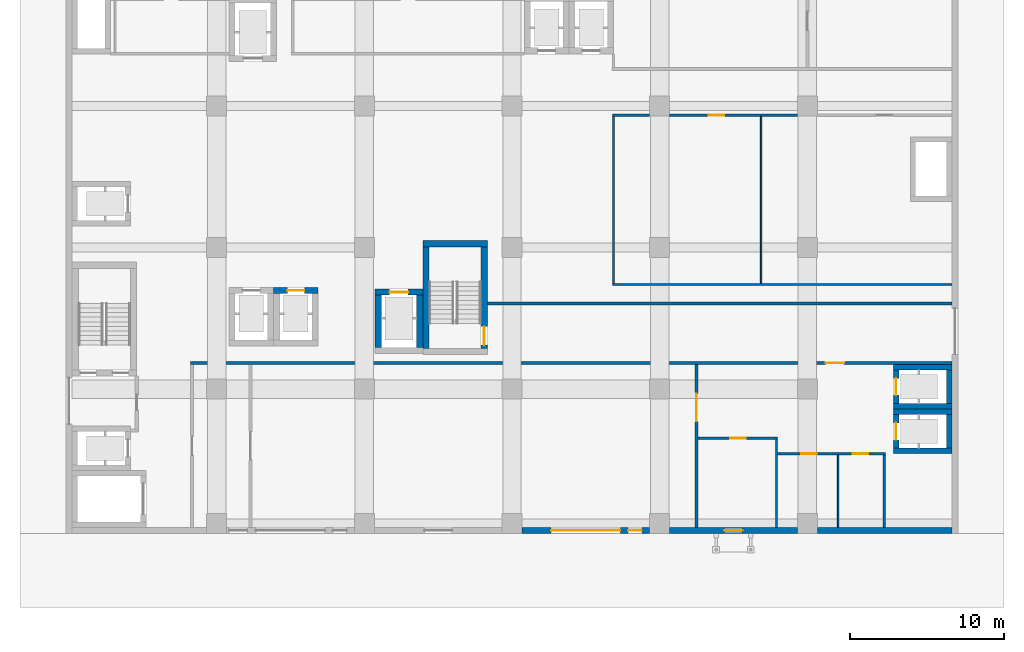
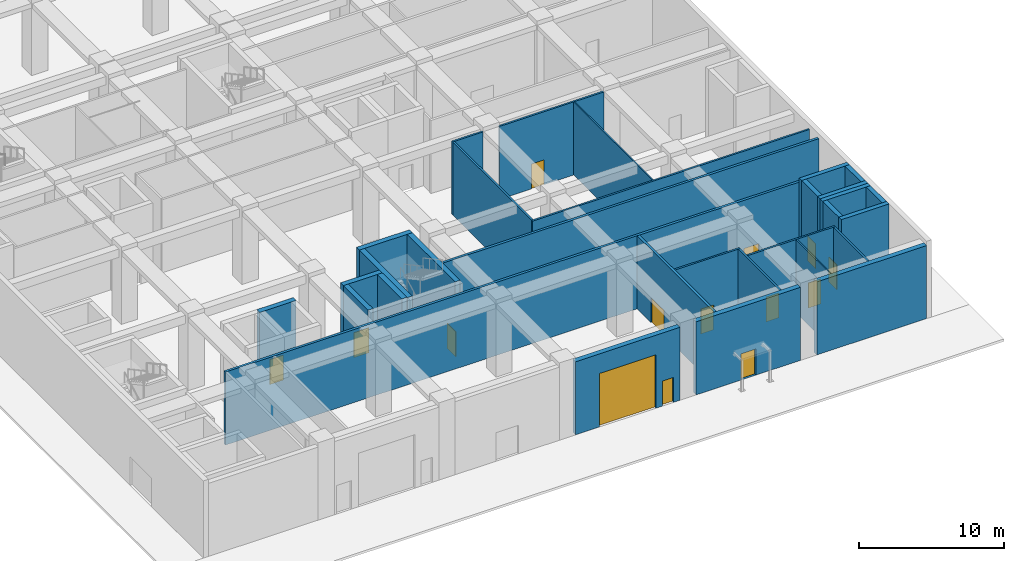
# One storey, part 17 of 45: 31 walls, 14 doors, 14 openings.
"""IFC4 building model written with IfcOpenShell, lengths in metres."""

from ifc_helpers import new_model, si_unit, direction, frame, frame_2d, origin, place, context, subcontext, project, spatial, rectangle, extrude, material, layer, layer_set, layer_usage, type_object, element, fill, save


model = new_model("IFC4")

# Units and contexts
model_context = context("Model", 3, precision=1e-05, world=origin(), true_north=direction((0.0, 1.0)))
body_context = subcontext(model_context, "Body", "Model", "MODEL_VIEW")
ifc_project = project(units=[si_unit("LENGTHUNIT", "METRE"), si_unit("AREAUNIT", "SQUARE_METRE"), si_unit("VOLUMEUNIT", "CUBIC_METRE"), si_unit("PLANEANGLEUNIT", "RADIAN"), si_unit("MASSUNIT", "GRAM", prefix="KILO")], contexts=[model_context])

# Site, building, storey
site_placement = place(None, origin())
site = spatial("IfcSite", under=ifc_project, at=site_placement, CompositionType="ELEMENT")
building_placement = place(site_placement, origin())
building = spatial("IfcBuilding", under=site, at=building_placement, Name="Nzadi Deep Aquarium and Research Tower", CompositionType="ELEMENT")
storey_placement = place(building_placement, origin())
storey = spatial("IfcBuildingStorey", under=building, at=storey_placement, Name="G", CompositionType="ELEMENT", Elevation=0.0)

# Walls
ifc_material_1 = material(Name="Blockwork masonry", Category="masonry")
ifc_layer_1 = layer(ifc_material_1, 0.10009765625)
ifc_layer_set_1 = layer_set([ifc_layer_1], Name="Blockwork masonry")
wall_type_1 = type_object("IfcWallType", Name="Partition 100 EI 30", PredefinedType="PARTITIONING", material=ifc_layer_set_1)
wall_1_placement = place(storey_placement, frame((45.0, 16.074951171875, 0.0), z_axis=(0.0, 0.0, 1.0), x_axis=(0.0, 1.0, 0.0)))
element("IfcWall", 1, at=wall_1_placement, inside=storey, type_object=wall_type_1, Name="W-Z1-G-P036", PredefinedType="PARTITIONING", context=body_context, shape_type="SweptSolid", body=[
    extrude(rectangle(XDim=10.85009765625, YDim=0.10009765625, at=frame_2d((5.425048828125, 0.0))), origin(), (0.0, 0.0, 1.0), 6.14990234375),
])
wall_2_placement = place(storey_placement, frame((50.0, 0.2060546875, 0.0), z_axis=(0.0, 0.0, 1.0), x_axis=(0.0, 1.0, 0.0)))
element("IfcWall", 2, at=wall_2_placement, inside=storey, type_object=wall_type_1, Name="W-Z1-G-P042", PredefinedType="PARTITIONING", context=body_context, shape_type="SweptSolid", body=[
    extrude(rectangle(XDim=4.718994140625, YDim=0.10009765625, at=frame_2d((2.359375, 0.0))), origin(), (0.0, 0.0, 1.0), 6.14990234375),
])
ifc_material_2 = material(Name="Blockwork masonry", Category="masonry")
ifc_layer_2 = layer(ifc_material_2, 0.14990234375)
ifc_layer_set_2 = layer_set([ifc_layer_2], Name="Blockwork masonry")
wall_type_2 = type_object("IfcWallType", Name="Partition 150 EI 60", PredefinedType="PARTITIONING", material=ifc_layer_set_2)
wall_3_placement = place(storey_placement, frame((35.324951171875, 16.0, 0.0), z_axis=(0.0, 0.0, 1.0), x_axis=(1.0, 0.0, 0.0)))
element("IfcWall", 3, at=wall_3_placement, inside=storey, type_object=wall_type_2, Name="W-Z1-G-P025", PredefinedType="PARTITIONING", context=body_context, shape_type="SweptSolid", body=[
    extrude(rectangle(XDim=22.069091796875, YDim=0.14990234375, at=frame_2d((11.03466796875, 0.0))), origin(), (0.0, 0.0, 1.0), 6.14990234375),
])
wall_4_placement = place(storey_placement, frame((35.39990234375, 16.074951171875, 0.0), z_axis=(0.0, 0.0, 1.0), x_axis=(0.0, 1.0, 0.0)))
element("IfcWall", 4, at=wall_4_placement, inside=storey, type_object=wall_type_2, Name="W-Z1-G-P026", PredefinedType="PARTITIONING", context=body_context, shape_type="SweptSolid", body=[
    extrude(rectangle(XDim=10.85009765625, YDim=0.14990234375, at=frame_2d((5.425048828125, 0.0))), origin(), (0.0, 0.0, 1.0), 6.14990234375),
])
wall_5_placement = place(storey_placement, frame((35.324951171875, 27.0, 0.0), z_axis=(0.0, 0.0, 1.0), x_axis=(1.0, 0.0, 0.0)))
element("IfcWall", 5, at=wall_5_placement, inside=storey, type_object=wall_type_2, Name="W-Z1-G-P027", PredefinedType="PARTITIONING", context=body_context, shape_type="SweptSolid", body=[
    extrude(rectangle(XDim=2.425048828125, YDim=0.14990234375, at=frame_2d((1.21240234375, 0.0))), origin(), (0.0, 0.0, 1.0), 6.14990234375),
])

# Wall, opening, door
wall_6_placement = place(storey_placement, frame((39.050048828125, 27.0, 0.0), z_axis=(0.0, 0.0, 1.0), x_axis=(1.0, 0.0, 0.0)))
wall_6 = element("IfcWall", 6, at=wall_6_placement, inside=storey, type_object=wall_type_2, Name="W-Z1-G-P031", PredefinedType="PARTITIONING", context=body_context, shape_type="SweptSolid", body=[
    extrude(rectangle(XDim=8.300048828125, YDim=0.14990234375, at=frame_2d((4.14990234375, 0.0))), origin(), (0.0, 0.0, 1.0), 6.14990234375),
])
opening_1_placement = place(wall_6_placement, frame((2.547119140625, 0.0, 0.0)))
opening_1 = element("IfcOpeningElement", 7, at=opening_1_placement, cuts=wall_6, Name="Opening D011012", PredefinedType="OPENING", context=body_context, shape_type="SweptSolid", body=[
    extrude(rectangle(XDim=1.0, YDim=2.10009765625, at=frame_2d((0.5, 1.050048828125))), frame((0.0, 0.0849609375, 0.0), z_axis=(0.0, -1.0, 0.0), x_axis=(1.0, 0.0, 0.0)), (0.0, 0.0, 1.0), 0.169921875),
])
ifc_material_3 = material(Name="Fire-rated steel door", Category="steel")
ifc_layer_3 = layer(ifc_material_3, 0.050048828125)
ifc_layer_set_3 = layer_set([ifc_layer_3], Name="Fire-rated steel door")
door_type_1 = type_object("IfcDoorType", Name="Door 1000x2100 EI 60 single", OperationType="SINGLE_SWING_LEFT", PredefinedType="DOOR", material=ifc_layer_set_3)
door_1_placement = place(opening_1_placement, origin())
door_1 = element("IfcDoor", 8, at=door_1_placement, inside=storey, type_object=door_type_1, Name="D011012", OperationType="SINGLE_SWING_LEFT", OverallHeight=2.10009765625, OverallWidth=1.0, PredefinedType="DOOR", context=body_context, shape_type="SweptSolid", body=[
    extrude(rectangle(XDim=1.0, YDim=2.10009765625, at=frame_2d((0.5, 1.050048828125))), frame((0.0, 0.02490234375, 0.0), z_axis=(0.0, -1.0, 0.0), x_axis=(1.0, 0.0, 0.0)), (0.0, 0.0, 1.0), 0.050048828125),
])
fill(opening_1, door_1)

wall_7_placement = place(storey_placement, frame((40.89990234375, 6.0, 0.0), z_axis=(0.0, 0.0, 1.0), x_axis=(1.0, 0.0, 0.0)))
wall_7 = element("IfcWall", 9, at=wall_7_placement, inside=storey, type_object=wall_type_2, Name="W-Z1-G-P035", PredefinedType="PARTITIONING", context=body_context, shape_type="SweptSolid", body=[
    extrude(rectangle(XDim=5.175048828125, YDim=0.14990234375, at=frame_2d((2.58740234375, 0.0))), origin(), (0.0, 0.0, 1.0), 6.14990234375),
])
opening_2_placement = place(wall_7_placement, frame((2.0869140625, 0.0, 0.0)))
opening_2 = element("IfcOpeningElement", 10, at=opening_2_placement, cuts=wall_7, Name="Opening D011003", PredefinedType="OPENING", context=body_context, shape_type="SweptSolid", body=[
    extrude(rectangle(XDim=1.0, YDim=2.10009765625, at=frame_2d((0.5, 1.050048828125))), frame((0.0, 0.0849609375, 0.0), z_axis=(0.0, -1.0, 0.0), x_axis=(1.0, 0.0, 0.0)), (0.0, 0.0, 1.0), 0.169921875),
])
door_2_placement = place(opening_2_placement, origin())
door_2 = element("IfcDoor", 11, at=door_2_placement, inside=storey, type_object=door_type_1, Name="D011003", OperationType="SINGLE_SWING_RIGHT", OverallHeight=2.10009765625, OverallWidth=1.0, PredefinedType="DOOR", context=body_context, shape_type="SweptSolid", body=[
    extrude(rectangle(XDim=1.0, YDim=2.10009765625, at=frame_2d((0.5, 1.050048828125))), frame((0.0, 0.02490234375, 0.0), z_axis=(0.0, -1.0, 0.0), x_axis=(1.0, 0.0, 0.0)), (0.0, 0.0, 1.0), 0.050048828125),
])
fill(opening_2, door_2)

# Wall
wall_8_placement = place(storey_placement, frame((46.0, 0.2060546875, 0.0), z_axis=(0.0, 0.0, 1.0), x_axis=(0.0, 1.0, 0.0)))
element("IfcWall", 12, at=wall_8_placement, inside=storey, type_object=wall_type_2, Name="W-Z1-G-P037", PredefinedType="PARTITIONING", context=body_context, shape_type="SweptSolid", body=[
    extrude(rectangle(XDim=5.718994140625, YDim=0.14990234375, at=frame_2d((2.859375, 0.0))), origin(), (0.0, 0.0, 1.0), 6.14990234375),
])

# Wall, openings, doors
wall_9_placement = place(storey_placement, frame((46.074951171875, 5.0, 0.0), z_axis=(0.0, 0.0, 1.0), x_axis=(1.0, 0.0, 0.0)))
wall_9 = element("IfcWall", 13, at=wall_9_placement, inside=storey, type_object=wall_type_2, Name="W-Z1-G-P038", PredefinedType="PARTITIONING", context=body_context, shape_type="SweptSolid", body=[
    extrude(rectangle(XDim=7.0, YDim=0.14990234375, at=frame_2d((3.5, 0.0))), origin(), (0.0, 0.0, 1.0), 6.14990234375),
])
opening_3_placement = place(wall_9_placement, frame((1.534912109375, 0.0, 0.0)))
opening_3 = element("IfcOpeningElement", 14, at=opening_3_placement, cuts=wall_9, Name="Opening D011005", PredefinedType="OPENING", context=body_context, shape_type="SweptSolid", body=[
    extrude(rectangle(XDim=1.0, YDim=2.10009765625, at=frame_2d((0.5, 1.050048828125))), frame((0.0, 0.0849609375, 0.0), z_axis=(0.0, -1.0, 0.0), x_axis=(1.0, 0.0, 0.0)), (0.0, 0.0, 1.0), 0.169921875),
])
opening_4_placement = place(wall_9_placement, frame((4.889892578125, 0.0, 0.0)))
opening_4 = element("IfcOpeningElement", 15, at=opening_4_placement, cuts=wall_9, Name="Opening D011006", PredefinedType="OPENING", context=body_context, shape_type="SweptSolid", body=[
    extrude(rectangle(XDim=1.0, YDim=2.10009765625, at=frame_2d((0.5, 1.050048828125))), frame((0.0, 0.0849609375, 0.0), z_axis=(0.0, -1.0, 0.0), x_axis=(1.0, 0.0, 0.0)), (0.0, 0.0, 1.0), 0.169921875),
])
door_3_placement = place(opening_3_placement, origin())
door_3 = element("IfcDoor", 16, at=door_3_placement, inside=storey, type_object=door_type_1, Name="D011005", OperationType="SINGLE_SWING_RIGHT", OverallHeight=2.10009765625, OverallWidth=1.0, PredefinedType="DOOR", context=body_context, shape_type="SweptSolid", body=[
    extrude(rectangle(XDim=1.0, YDim=2.10009765625, at=frame_2d((0.5, 1.050048828125))), frame((0.0, 0.02490234375, 0.0), z_axis=(0.0, -1.0, 0.0), x_axis=(1.0, 0.0, 0.0)), (0.0, 0.0, 1.0), 0.050048828125),
])
fill(opening_3, door_3)
door_4_placement = place(opening_4_placement, origin())
door_4 = element("IfcDoor", 17, at=door_4_placement, inside=storey, type_object=door_type_1, Name="D011006", OperationType="SINGLE_SWING_LEFT", OverallHeight=2.10009765625, OverallWidth=1.0, PredefinedType="DOOR", context=body_context, shape_type="SweptSolid", body=[
    extrude(rectangle(XDim=1.0, YDim=2.10009765625, at=frame_2d((0.5, 1.050048828125))), frame((0.0, 0.02490234375, 0.0), z_axis=(0.0, -1.0, 0.0), x_axis=(1.0, 0.0, 0.0)), (0.0, 0.0, 1.0), 0.050048828125),
])
fill(opening_4, door_4)

# Wall
wall_10_placement = place(storey_placement, frame((53.0, 0.2060546875, 0.0), z_axis=(0.0, 0.0, 1.0), x_axis=(0.0, 1.0, 0.0)))
element("IfcWall", 18, at=wall_10_placement, inside=storey, type_object=wall_type_2, Name="W-Z1-G-P043", PredefinedType="PARTITIONING", context=body_context, shape_type="SweptSolid", body=[
    extrude(rectangle(XDim=4.718994140625, YDim=0.14990234375, at=frame_2d((2.359375, 0.0))), origin(), (0.0, 0.0, 1.0), 6.14990234375),
])

# Wall, opening, door
ifc_material_4 = material(Name="Blockwork masonry", Category="masonry")
ifc_layer_4 = layer(ifc_material_4, 0.199951171875)
ifc_layer_set_4 = layer_set([ifc_layer_4], Name="Blockwork masonry")
wall_type_3 = type_object("IfcWallType", Name="Partition 200 EI 120", PredefinedType="PARTITIONING", material=ifc_layer_set_4)
wall_11_placement = place(storey_placement, frame((7.89990234375, 10.89990234375, 0.0), z_axis=(0.0, 0.0, 1.0), x_axis=(1.0, 0.0, 0.0)))
wall_11 = element("IfcWall", 19, at=wall_11_placement, inside=storey, type_object=wall_type_3, Name="W-Z1-G-P009", PredefinedType="PARTITIONING", context=body_context, shape_type="SweptSolid", body=[
    extrude(rectangle(XDim=49.494140625, YDim=0.199951171875, at=frame_2d((24.7470703125, 0.0))), origin(), (0.0, 0.0, 1.0), 6.14990234375),
])
opening_5_placement = place(wall_11_placement, frame((41.300048828125, 0.0, 0.0)))
opening_5 = element("IfcOpeningElement", 20, at=opening_5_placement, cuts=wall_11, Name="Opening D011021", PredefinedType="OPENING", context=body_context, shape_type="SweptSolid", body=[
    extrude(rectangle(XDim=1.199951171875, YDim=2.10009765625, at=frame_2d((0.60009765625, 1.050048828125))), frame((0.0, 0.110107421875, 0.0), z_axis=(0.0, -1.0, 0.0), x_axis=(1.0, 0.0, 0.0)), (0.0, 0.0, 1.0), 0.22021484375),
])
ifc_material_5 = material(Name="Fire-rated steel door", Category="steel")
ifc_layer_5 = layer(ifc_material_5, 0.050048828125)
ifc_layer_set_5 = layer_set([ifc_layer_5], Name="Fire-rated steel door")
door_type_2 = type_object("IfcDoorType", Name="Door 1200x2100 EI 120 single", OperationType="SINGLE_SWING_LEFT", PredefinedType="DOOR", material=ifc_layer_set_5)
door_5_placement = place(opening_5_placement, origin())
door_5 = element("IfcDoor", 21, at=door_5_placement, inside=storey, type_object=door_type_2, Name="D011021", OperationType="SINGLE_SWING_LEFT", OverallHeight=2.10009765625, OverallWidth=1.199951171875, PredefinedType="DOOR", context=body_context, shape_type="SweptSolid", body=[
    extrude(rectangle(XDim=1.199951171875, YDim=2.10009765625, at=frame_2d((0.60009765625, 1.050048828125))), frame((0.0, 0.02490234375, 0.0), z_axis=(0.0, -1.0, 0.0), x_axis=(1.0, 0.0, 0.0)), (0.0, 0.0, 1.0), 0.050048828125),
])
fill(opening_5, door_5)

# Wall
wall_12_placement = place(storey_placement, frame((27.2060546875, 14.75, 0.0), z_axis=(0.0, 0.0, 1.0), x_axis=(1.0, 0.0, 0.0)))
element("IfcWall", 22, at=wall_12_placement, inside=storey, type_object=wall_type_3, Name="W-Z1-G-P020", PredefinedType="PARTITIONING", context=body_context, shape_type="SweptSolid", body=[
    extrude(rectangle(XDim=30.18798828125, YDim=0.199951171875, at=frame_2d((15.093994140625, 0.0))), origin(), (0.0, 0.0, 1.0), 6.14990234375),
])

# Wall, opening, door
wall_13_placement = place(storey_placement, frame((40.800048828125, 0.2060546875, 0.0), z_axis=(0.0, 0.0, 1.0), x_axis=(0.0, 1.0, 0.0)))
wall_13 = element("IfcWall", 23, at=wall_13_placement, inside=storey, type_object=wall_type_3, Name="W-Z1-G-P034", PredefinedType="PARTITIONING", context=body_context, shape_type="SweptSolid", body=[
    extrude(rectangle(XDim=10.593994140625, YDim=0.199951171875, at=frame_2d((5.296875, 0.0))), origin(), (0.0, 0.0, 1.0), 6.14990234375),
])
opening_6_placement = place(wall_13_placement, frame((6.89404296875, 0.0, 0.0)))
opening_6 = element("IfcOpeningElement", 24, at=opening_6_placement, cuts=wall_13, Name="Opening D011004", PredefinedType="OPENING", context=body_context, shape_type="SweptSolid", body=[
    extrude(rectangle(XDim=1.800048828125, YDim=2.10009765625, at=frame_2d((0.89990234375, 1.050048828125))), frame((0.0, 0.110107421875, 0.0), z_axis=(0.0, -1.0, 0.0), x_axis=(1.0, 0.0, 0.0)), (0.0, 0.0, 1.0), 0.22021484375),
])
ifc_material_6 = material(Name="Fire-rated steel door", Category="steel")
ifc_layer_6 = layer(ifc_material_6, 0.050048828125)
ifc_layer_set_6 = layer_set([ifc_layer_6], Name="Fire-rated steel door")
door_type_3 = type_object("IfcDoorType", Name="Door 1800x2100 EI 120 double", OperationType="DOUBLE_DOOR_SINGLE_SWING", PredefinedType="DOOR", material=ifc_layer_set_6)
door_6_placement = place(opening_6_placement, origin())
door_6 = element("IfcDoor", 25, at=door_6_placement, inside=storey, type_object=door_type_3, Name="D011004", OperationType="DOUBLE_DOOR_SINGLE_SWING", OverallHeight=2.10009765625, OverallWidth=1.800048828125, PredefinedType="DOOR", context=body_context, shape_type="SweptSolid", body=[
    extrude(rectangle(XDim=1.800048828125, YDim=2.10009765625, at=frame_2d((0.89990234375, 1.050048828125))), frame((0.0, 0.02490234375, 0.0), z_axis=(0.0, -1.0, 0.0), x_axis=(1.0, 0.0, 0.0)), (0.0, 0.0, 1.0), 0.050048828125),
])
fill(opening_6, door_6)

# Walls
ifc_material_7 = material(Name="Concrete C35/45", Category="concrete")
ifc_layer_7 = layer(ifc_material_7, 0.35009765625)
ifc_layer_set_7 = layer_set([ifc_layer_7], Name="Concrete C35/45")
wall_type_4 = type_object("IfcWallType", Name="RC core wall 350, 5.50 to 6.50 m high", PredefinedType="SHEAR", material=ifc_layer_set_7)
for number, where, z_axis, x_axis, name in (
    (26, (53.60009765625, 5.175048828125, 0.0), (0.0, 0.0, 1.0), (1.0, 0.0, 0.0), "W-CORE-EL2-G-S"),
    (27, (53.60009765625, 7.72509765625, 0.0), (0.0, 0.0, 1.0), (1.0, 0.0, 0.0), "W-CORE-EL2-G-N"),
):
    element("IfcWall", number, at=place(storey_placement, frame(where, z_axis=z_axis, x_axis=x_axis)), inside=storey, type_object=wall_type_4, Name=name, PredefinedType="SHEAR", context=body_context, shape_type="SweptSolid", body=[
        extrude(rectangle(XDim=3.7998046875, YDim=0.35009765625, at=frame_2d((1.89990234375, 0.0))), origin(), (0.0, 0.0, 1.0), 6.5),
    ])

# Wall, opening, door
wall_14_placement = place(storey_placement, frame((53.77490234375, 5.35009765625, 0.0), z_axis=(0.0, 0.0, 1.0), x_axis=(0.0, 1.0, 0.0)))
wall_14 = element("IfcWall", 28, at=wall_14_placement, inside=storey, type_object=wall_type_4, Name="W-CORE-EL2-G-W", PredefinedType="SHEAR", context=body_context, shape_type="SweptSolid", body=[
    extrude(rectangle(XDim=2.199951171875, YDim=0.35009765625, at=frame_2d((1.10009765625, 0.0))), origin(), (0.0, 0.0, 1.0), 6.5),
])
opening_7_placement = place(wall_14_placement, frame((0.550048828125, 0.0, 0.0)))
opening_7 = element("IfcOpeningElement", 29, at=opening_7_placement, cuts=wall_14, Name="Opening LD-EL2-G", PredefinedType="OPENING", context=body_context, shape_type="SweptSolid", body=[
    extrude(rectangle(XDim=1.10009765625, YDim=2.10009765625, at=frame_2d((0.550048828125, 1.050048828125))), frame((0.0, 0.18505859375, 0.0), z_axis=(0.0, -1.0, 0.0), x_axis=(1.0, 0.0, 0.0)), (0.0, 0.0, 1.0), 0.3701171875),
])
ifc_material_8 = material(Name="Stainless steel 1.4301", Category="steel")
door_type_4 = type_object("IfcDoorType", Name="LANDING DOOR 1100x2100", OperationType="DOUBLE_DOOR_SLIDING", PredefinedType="DOOR", material=ifc_material_8)
door_7_placement = place(opening_7_placement, origin())
door_7 = element("IfcDoor", 30, at=door_7_placement, inside=storey, type_object=door_type_4, Name="Landing door EL2 G", OperationType="DOUBLE_DOOR_SLIDING", OverallHeight=2.10009765625, OverallWidth=1.10009765625, PredefinedType="DOOR", context=body_context, shape_type="SweptSolid", body=[
    extrude(rectangle(XDim=1.10009765625, YDim=2.10009765625, at=frame_2d((0.550048828125, 1.050048828125))), frame((0.0, 0.02490234375, 0.0), z_axis=(0.0, -1.0, 0.0), x_axis=(1.0, 0.0, 0.0)), (0.0, 0.0, 1.0), 0.050048828125),
])
fill(opening_7, door_7)

# Walls
wall_15_placement = place(storey_placement, frame((57.22509765625, 5.35009765625, 0.0), z_axis=(0.0, 0.0, 1.0), x_axis=(0.0, 1.0, 0.0)))
element("IfcWall", 31, at=wall_15_placement, inside=storey, type_object=wall_type_4, Name="W-CORE-EL2-G-E", PredefinedType="SHEAR", context=body_context, shape_type="SweptSolid", body=[
    extrude(rectangle(XDim=2.199951171875, YDim=0.35009765625, at=frame_2d((1.10009765625, 0.0))), origin(), (0.0, 0.0, 1.0), 6.5),
])
for number, where, z_axis, x_axis, name in (
    (32, (53.60009765625, 8.074951171875, 0.0), (0.0, 0.0, 1.0), (1.0, 0.0, 0.0), "W-CORE-PL2-G-S"),
    (33, (53.60009765625, 10.625, 0.0), (0.0, 0.0, 1.0), (1.0, 0.0, 0.0), "W-CORE-PL2-G-N"),
):
    element("IfcWall", number, at=place(storey_placement, frame(where, z_axis=z_axis, x_axis=x_axis)), inside=storey, type_object=wall_type_4, Name=name, PredefinedType="SHEAR", context=body_context, shape_type="SweptSolid", body=[
        extrude(rectangle(XDim=3.7998046875, YDim=0.35009765625, at=frame_2d((1.89990234375, 0.0))), origin(), (0.0, 0.0, 1.0), 6.5),
    ])

# Wall, opening, door
wall_16_placement = place(storey_placement, frame((53.77490234375, 8.25, 0.0), z_axis=(0.0, 0.0, 1.0), x_axis=(0.0, 1.0, 0.0)))
wall_16 = element("IfcWall", 34, at=wall_16_placement, inside=storey, type_object=wall_type_4, Name="W-CORE-PL2-G-W", PredefinedType="SHEAR", context=body_context, shape_type="SweptSolid", body=[
    extrude(rectangle(XDim=2.199951171875, YDim=0.35009765625, at=frame_2d((1.10009765625, 0.0))), origin(), (0.0, 0.0, 1.0), 6.5),
])
opening_8_placement = place(wall_16_placement, frame((0.550048828125, 0.0, 0.0)))
opening_8 = element("IfcOpeningElement", 35, at=opening_8_placement, cuts=wall_16, Name="Opening LD-PL2-G", PredefinedType="OPENING", context=body_context, shape_type="SweptSolid", body=[
    extrude(rectangle(XDim=1.10009765625, YDim=2.10009765625, at=frame_2d((0.550048828125, 1.050048828125))), frame((0.0, 0.18505859375, 0.0), z_axis=(0.0, -1.0, 0.0), x_axis=(1.0, 0.0, 0.0)), (0.0, 0.0, 1.0), 0.3701171875),
])
door_8_placement = place(opening_8_placement, origin())
door_8 = element("IfcDoor", 36, at=door_8_placement, inside=storey, type_object=door_type_4, Name="Landing door PL2 G", OperationType="DOUBLE_DOOR_SLIDING", OverallHeight=2.10009765625, OverallWidth=1.10009765625, PredefinedType="DOOR", context=body_context, shape_type="SweptSolid", body=[
    extrude(rectangle(XDim=1.10009765625, YDim=2.10009765625, at=frame_2d((0.550048828125, 1.050048828125))), frame((0.0, 0.02490234375, 0.0), z_axis=(0.0, -1.0, 0.0), x_axis=(1.0, 0.0, 0.0)), (0.0, 0.0, 1.0), 0.050048828125),
])
fill(opening_8, door_8)

# Walls
wall_17_placement = place(storey_placement, frame((57.22509765625, 8.25, 0.0), z_axis=(0.0, 0.0, 1.0), x_axis=(0.0, 1.0, 0.0)))
element("IfcWall", 37, at=wall_17_placement, inside=storey, type_object=wall_type_4, Name="W-CORE-PL2-G-E", PredefinedType="SHEAR", context=body_context, shape_type="SweptSolid", body=[
    extrude(rectangle(XDim=2.199951171875, YDim=0.35009765625, at=frame_2d((1.10009765625, 0.0))), origin(), (0.0, 0.0, 1.0), 6.5),
])
ifc_material_9 = material(Name="Concrete C35/45", Category="concrete")
ifc_layer_8 = layer(ifc_material_9, 0.39990234375)
ifc_layer_set_8 = layer_set([ifc_layer_8], Name="Concrete C35/45")
wall_type_5 = type_object("IfcWallType", Name="RC core wall 400, 5.50 to 6.50 m high", PredefinedType="SHEAR", material=ifc_layer_set_8)
wall_18_placement = place(storey_placement, frame((23.0, 18.64990234375, 0.0), z_axis=(0.0, 0.0, 1.0), x_axis=(1.0, 0.0, 0.0)))
element("IfcWall", 38, at=wall_18_placement, inside=storey, type_object=wall_type_5, Name="W-CORE-ST-Z1-SE-G-N", PredefinedType="SHEAR", context=body_context, shape_type="SweptSolid", body=[
    extrude(rectangle(XDim=4.199951171875, YDim=0.39990234375, at=frame_2d((2.10009765625, 0.0))), origin(), (0.0, 0.0, 1.0), 6.5),
])
wall_19_placement = place(storey_placement, frame((23.199951171875, 11.85009765625, 0.0), z_axis=(0.0, 0.0, 1.0), x_axis=(0.0, 1.0, 0.0)))
element("IfcWall", 39, at=wall_19_placement, inside=storey, type_object=wall_type_5, Name="W-CORE-ST-Z1-SE-G-W", PredefinedType="SHEAR", context=body_context, shape_type="SweptSolid", body=[
    extrude(rectangle(XDim=6.599853515625, YDim=0.39990234375, at=frame_2d((3.2998046875, 0.0))), origin(), (0.0, 0.0, 1.0), 6.5),
])

# Wall, opening, door
wall_20_placement = place(storey_placement, frame((27.0, 11.85009765625, 0.0), z_axis=(0.0, 0.0, 1.0), x_axis=(0.0, 1.0, 0.0)))
wall_20 = element("IfcWall", 40, at=wall_20_placement, inside=storey, type_object=wall_type_5, Name="W-CORE-ST-Z1-SE-G-E", PredefinedType="SHEAR", context=body_context, shape_type="SweptSolid", body=[
    extrude(rectangle(XDim=6.599853515625, YDim=0.39990234375, at=frame_2d((3.2998046875, 0.0))), origin(), (0.0, 0.0, 1.0), 6.5),
])
opening_9_placement = place(wall_20_placement, frame((0.2099609375, 0.0, 0.0)))
opening_9 = element("IfcOpeningElement", 41, at=opening_9_placement, cuts=wall_20, Name="Opening DS-Z1-SE-G", PredefinedType="OPENING", context=body_context, shape_type="SweptSolid", body=[
    extrude(rectangle(XDim=1.199951171875, YDim=2.10009765625, at=frame_2d((0.60009765625, 1.050048828125))), frame((0.0, 0.2099609375, 0.0), z_axis=(0.0, -1.0, 0.0), x_axis=(1.0, 0.0, 0.0)), (0.0, 0.0, 1.0), 0.419921875),
])
ifc_material_10 = material(Name="Steel, powder coated", Category="steel")
door_type_5 = type_object("IfcDoorType", Name="STAIR DOOR 1200x2100 EI 60", OperationType="SINGLE_SWING_LEFT", PredefinedType="DOOR", material=ifc_material_10)
door_9_placement = place(opening_9_placement, origin())
door_9 = element("IfcDoor", 42, at=door_9_placement, inside=storey, type_object=door_type_5, Name="Stair door ST-Z1-SE G", OperationType="SINGLE_SWING_LEFT", OverallHeight=2.10009765625, OverallWidth=1.199951171875, PredefinedType="DOOR", context=body_context, shape_type="SweptSolid", body=[
    extrude(rectangle(XDim=1.199951171875, YDim=2.10009765625, at=frame_2d((0.60009765625, 1.050048828125))), frame((0.0, 0.02490234375, 0.0), z_axis=(0.0, -1.0, 0.0), x_axis=(1.0, 0.0, 0.0)), (0.0, 0.0, 1.0), 0.050048828125),
])
fill(opening_9, door_9)

wall_21_placement = place(storey_placement, frame((13.300048828125, 15.60009765625, 0.0), z_axis=(0.0, 0.0, 1.0), x_axis=(1.0, 0.0, 0.0)))
wall_21 = element("IfcWall", 43, at=wall_21_placement, inside=storey, type_object=wall_type_5, Name="W-CORE-TL2-G-N", PredefinedType="SHEAR", context=body_context, shape_type="SweptSolid", body=[
    extrude(rectangle(XDim=2.89990234375, YDim=0.39990234375, at=frame_2d((1.449951171875, 0.0))), origin(), (0.0, 0.0, 1.0), 6.5),
])
opening_10_placement = place(wall_21_placement, frame((0.89990234375, 0.0, 0.0)))
opening_10 = element("IfcOpeningElement", 44, at=opening_10_placement, cuts=wall_21, Name="Opening LD-TL2-G", PredefinedType="OPENING", context=body_context, shape_type="SweptSolid", body=[
    extrude(rectangle(XDim=1.10009765625, YDim=2.10009765625, at=frame_2d((0.550048828125, 1.050048828125))), frame((0.0, 0.2099609375, 0.0), z_axis=(0.0, -1.0, 0.0), x_axis=(1.0, 0.0, 0.0)), (0.0, 0.0, 1.0), 0.419921875),
])
door_10_placement = place(opening_10_placement, origin())
door_10 = element("IfcDoor", 45, at=door_10_placement, inside=storey, type_object=door_type_4, Name="Landing door TL2 G", OperationType="DOUBLE_DOOR_SLIDING", OverallHeight=2.10009765625, OverallWidth=1.10009765625, PredefinedType="DOOR", context=body_context, shape_type="SweptSolid", body=[
    extrude(rectangle(XDim=1.10009765625, YDim=2.10009765625, at=frame_2d((0.550048828125, 1.050048828125))), frame((0.0, 0.02490234375, 0.0), z_axis=(0.0, -1.0, 0.0), x_axis=(1.0, 0.0, 0.0)), (0.0, 0.0, 1.0), 0.050048828125),
])
fill(opening_10, door_10)

wall_22_placement = place(storey_placement, frame((19.89990234375, 15.5, 0.0), z_axis=(0.0, 0.0, 1.0), x_axis=(1.0, 0.0, 0.0)))
wall_22 = element("IfcWall", 46, at=wall_22_placement, inside=storey, type_object=wall_type_5, Name="W-CORE-FL1-G-N", PredefinedType="SHEAR", context=body_context, shape_type="SweptSolid", body=[
    extrude(rectangle(XDim=3.10009765625, YDim=0.39990234375, at=frame_2d((1.550048828125, 0.0))), origin(), (0.0, 0.0, 1.0), 6.5),
])
opening_11_placement = place(wall_22_placement, frame((0.949951171875, 0.0, 0.0)))
opening_11 = element("IfcOpeningElement", 47, at=opening_11_placement, cuts=wall_22, Name="Opening LD-FL1-G", PredefinedType="OPENING", context=body_context, shape_type="SweptSolid", body=[
    extrude(rectangle(XDim=1.199951171875, YDim=2.10009765625, at=frame_2d((0.60009765625, 1.050048828125))), frame((0.0, 0.2099609375, 0.0), z_axis=(0.0, -1.0, 0.0), x_axis=(1.0, 0.0, 0.0)), (0.0, 0.0, 1.0), 0.419921875),
])
ifc_material_11 = material(Name="Stainless steel 1.4301", Category="steel")
door_type_6 = type_object("IfcDoorType", Name="LANDING DOOR 1200x2100", OperationType="DOUBLE_DOOR_SLIDING", PredefinedType="DOOR", material=ifc_material_11)
door_11_placement = place(opening_11_placement, origin())
door_11 = element("IfcDoor", 48, at=door_11_placement, inside=storey, type_object=door_type_6, Name="Landing door FL1 G", OperationType="DOUBLE_DOOR_SLIDING", OverallHeight=2.10009765625, OverallWidth=1.199951171875, PredefinedType="DOOR", context=body_context, shape_type="SweptSolid", body=[
    extrude(rectangle(XDim=1.199951171875, YDim=2.10009765625, at=frame_2d((0.60009765625, 1.050048828125))), frame((0.0, 0.02490234375, 0.0), z_axis=(0.0, -1.0, 0.0), x_axis=(1.0, 0.0, 0.0)), (0.0, 0.0, 1.0), 0.050048828125),
])
fill(opening_11, door_11)

# Walls
for number, where, z_axis, x_axis, name in (
    (49, (20.10009765625, 11.89990234375, 0.0), (0.0, 0.0, 1.0), (0.0, 1.0, 0.0), "W-CORE-FL1-G-W"),
    (50, (22.800048828125, 11.89990234375, 0.0), (0.0, 0.0, 1.0), (0.0, 1.0, 0.0), "W-CORE-FL1-G-E"),
):
    element("IfcWall", number, at=place(storey_placement, frame(where, z_axis=z_axis, x_axis=x_axis)), inside=storey, type_object=wall_type_5, Name=name, PredefinedType="SHEAR", context=body_context, shape_type="SweptSolid", body=[
        extrude(rectangle(XDim=3.400146484375, YDim=0.39990234375, at=frame_2d((1.7001953125, 0.0))), origin(), (0.0, 0.0, 1.0), 6.5),
    ])

# Wall, openings, doors
ifc_material_12 = material(Name="Concrete C35/45", Category="concrete")
ifc_layer_9 = layer(ifc_material_12, 0.25, Category="cladding")
ifc_material_13 = material(Name="Mineral wool insulation")
ifc_layer_10 = layer(ifc_material_13, 0.10009765625, Category="insulation")
ifc_material_14 = material(Name="Concrete block lining", Category="concrete")
ifc_layer_11 = layer(ifc_material_14, 0.050048828125, Category="lining")
ifc_layer_set_9 = layer_set([ifc_layer_9, ifc_layer_10, ifc_layer_11], Name="Concrete C35/45, Mineral wool insulation, Concrete block lining")
ifc_layer_usage_1 = layer_usage(ifc_layer_set_9, "AXIS2", "POSITIVE", -0.199951171875)
wall_type_6 = type_object("IfcWallType", Name="South end wall board-formed concrete 400", PredefinedType="ELEMENTEDWALL", material=ifc_layer_set_9)
wall_23_placement = place(storey_placement, frame((29.449951171875, 0.0, 0.0), z_axis=(0.0, 0.0, 1.0), x_axis=(1.0, 0.0, 0.0)))
wall_23 = element("IfcWall", 51, at=wall_23_placement, inside=storey, type_object=wall_type_6, material=ifc_layer_usage_1, Name="South end wall G", PredefinedType="ELEMENTEDWALL", context=body_context, shape_type="SweptSolid", body=[
    extrude(rectangle(XDim=8.300048828125, YDim=0.39990234375, at=frame_2d((4.14990234375, 0.0))), origin(), (0.0, 0.0, 1.0), 6.14990234375),
])
opening_12_placement = place(wall_23_placement, frame((1.89990234375, 0.0, 0.0)))
opening_12 = element("IfcOpeningElement", 52, at=opening_12_placement, cuts=wall_23, Name="Opening DE017", PredefinedType="OPENING", context=body_context, shape_type="SweptSolid", body=[
    extrude(rectangle(XDim=4.5, YDim=4.5, at=frame_2d((2.25, 2.25))), frame((0.0, 0.2099609375, 0.0), z_axis=(0.0, -1.0, 0.0), x_axis=(1.0, 0.0, 0.0)), (0.0, 0.0, 1.0), 0.419921875),
])
opening_13_placement = place(wall_23_placement, frame((6.89990234375, 0.0, 0.0)))
opening_13 = element("IfcOpeningElement", 53, at=opening_13_placement, cuts=wall_23, Name="Opening DE018", PredefinedType="OPENING", context=body_context, shape_type="SweptSolid", body=[
    extrude(rectangle(XDim=0.89990234375, YDim=2.10009765625, at=frame_2d((0.449951171875, 1.050048828125))), frame((0.0, 0.2099609375, 0.0), z_axis=(0.0, -1.0, 0.0), x_axis=(1.0, 0.0, 0.0)), (0.0, 0.0, 1.0), 0.419921875),
])
ifc_material_15 = material(Name="Steel, galvanised", Category="steel")
door_type_7 = type_object("IfcDoorType", Name="Dock personnel door 900x2100", OperationType="SINGLE_SWING_RIGHT", PredefinedType="DOOR", material=ifc_material_15)
door_12_placement = place(opening_13_placement, frame((0.89990234375, 0.0, 0.0), z_axis=(0.0, 0.0, 1.0), x_axis=(-1.0, 0.0, 0.0)))
door_12 = element("IfcDoor", 54, at=door_12_placement, inside=storey, type_object=door_type_7, Name="Dock personnel door 2", OperationType="SINGLE_SWING_LEFT", OverallHeight=2.10009765625, OverallWidth=0.89990234375, PredefinedType="DOOR", context=body_context, shape_type="SweptSolid", body=[
    extrude(rectangle(XDim=0.89990234375, YDim=2.10009765625, at=frame_2d((0.449951171875, 1.050048828125))), frame((0.0, 0.02490234375, 0.0), z_axis=(0.0, -1.0, 0.0), x_axis=(1.0, 0.0, 0.0)), (0.0, 0.0, 1.0), 0.050048828125),
])
fill(opening_13, door_12)
ifc_material_16 = material(Name="Steel, galvanised", Category="steel")
door_type_8 = type_object("IfcDoorType", Name="Vehicle gate 4500x4500", OperationType="ROLLINGUP", PredefinedType="GATE", material=ifc_material_16)
door_13_placement = place(opening_12_placement, frame((4.5, 0.0, 0.0), z_axis=(0.0, 0.0, 1.0), x_axis=(-1.0, 0.0, 0.0)))
door_13 = element("IfcDoor", 55, at=door_13_placement, inside=storey, type_object=door_type_8, Name="Vehicle gate 2", OperationType="ROLLINGUP", OverallHeight=4.5, OverallWidth=4.5, PredefinedType="GATE", context=body_context, shape_type="SweptSolid", body=[
    extrude(rectangle(XDim=4.5, YDim=4.5, at=frame_2d((2.25, 2.25))), frame((0.0, 0.02490234375, 0.0), z_axis=(0.0, -1.0, 0.0), x_axis=(1.0, 0.0, 0.0)), (0.0, 0.0, 1.0), 0.050048828125),
])
fill(opening_12, door_13)

# Wall, opening, door
ifc_layer_usage_2 = layer_usage(ifc_layer_set_9, "AXIS2", "POSITIVE", -0.199951171875)
wall_24_placement = place(storey_placement, frame((39.050048828125, 0.0, 0.0), z_axis=(0.0, 0.0, 1.0), x_axis=(1.0, 0.0, 0.0)))
wall_24 = element("IfcWall", 56, at=wall_24_placement, inside=storey, type_object=wall_type_6, material=ifc_layer_usage_2, Name="South end wall G", PredefinedType="ELEMENTEDWALL", context=body_context, shape_type="SweptSolid", body=[
    extrude(rectangle(XDim=8.300048828125, YDim=0.39990234375, at=frame_2d((4.14990234375, 0.0))), origin(), (0.0, 0.0, 1.0), 6.14990234375),
])
opening_14_placement = place(wall_24_placement, frame((3.550048828125, 0.0, 0.0)))
opening_14 = element("IfcOpeningElement", 57, at=opening_14_placement, cuts=wall_24, Name="Opening DE019", PredefinedType="OPENING", context=body_context, shape_type="SweptSolid", body=[
    extrude(rectangle(XDim=1.199951171875, YDim=2.199951171875, at=frame_2d((0.60009765625, 1.10009765625))), frame((0.0, 0.2099609375, 0.0), z_axis=(0.0, -1.0, 0.0), x_axis=(1.0, 0.0, 0.0)), (0.0, 0.0, 1.0), 0.419921875),
])
ifc_material_17 = material(Name="Aluminium framed glazing", Category="aluminium")
door_type_9 = type_object("IfcDoorType", Name="Staff access door 1200x2200", OperationType="SINGLE_SWING_RIGHT", PredefinedType="DOOR", material=ifc_material_17)
door_14_placement = place(opening_14_placement, frame((1.199951171875, 0.0, 0.0), z_axis=(0.0, 0.0, 1.0), x_axis=(-1.0, 0.0, 0.0)))
door_14 = element("IfcDoor", 58, at=door_14_placement, inside=storey, type_object=door_type_9, Name="Staff access door", OperationType="SINGLE_SWING_LEFT", OverallHeight=2.199951171875, OverallWidth=1.199951171875, PredefinedType="DOOR", context=body_context, shape_type="SweptSolid", body=[
    extrude(rectangle(XDim=1.199951171875, YDim=2.199951171875, at=frame_2d((0.60009765625, 1.10009765625))), frame((0.0, 0.02490234375, 0.0), z_axis=(0.0, -1.0, 0.0), x_axis=(1.0, 0.0, 0.0)), (0.0, 0.0, 1.0), 0.050048828125),
])
fill(opening_14, door_14)

# Wall
ifc_layer_usage_3 = layer_usage(ifc_layer_set_9, "AXIS2", "POSITIVE", -0.199951171875)
wall_25_placement = place(storey_placement, frame((48.64990234375, 0.0, 0.0), z_axis=(0.0, 0.0, 1.0), x_axis=(1.0, 0.0, 0.0)))
element("IfcWall", 59, at=wall_25_placement, inside=storey, type_object=wall_type_6, material=ifc_layer_usage_3, Name="South end wall G", PredefinedType="ELEMENTEDWALL", context=body_context, shape_type="SweptSolid", body=[
    extrude(rectangle(XDim=8.75, YDim=0.39990234375, at=frame_2d((4.375, 0.0))), origin(), (0.0, 0.0, 1.0), 6.14990234375),
])

save(model, "model.ifc")
